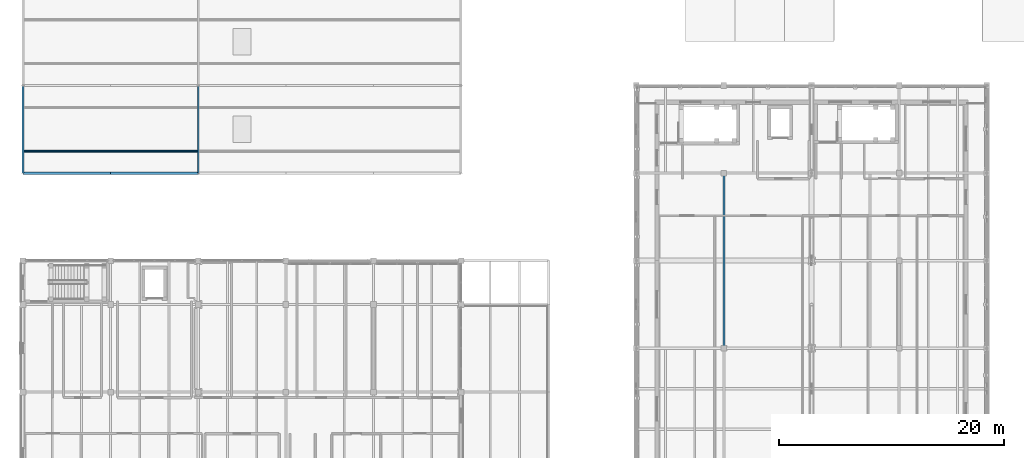
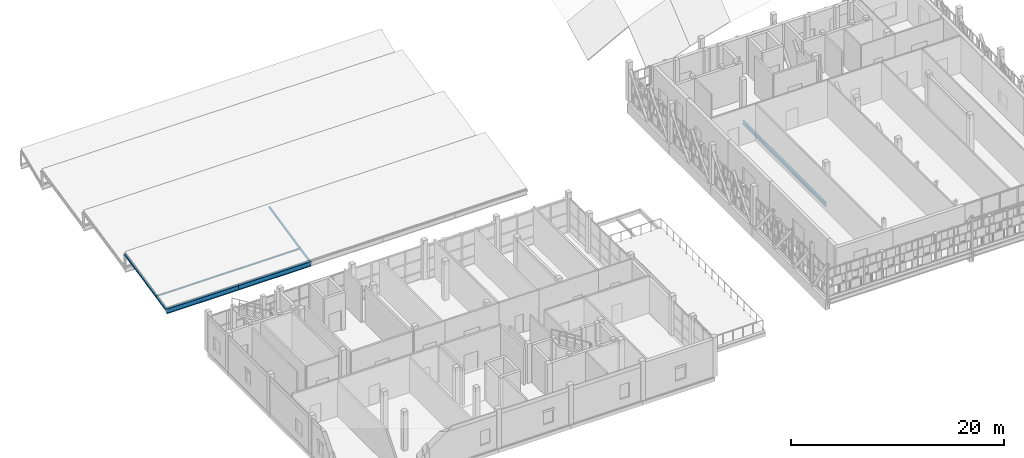
# One storey, part 15 of 89: 3 beams, 3 members.
"""IFC4 building model written with IfcOpenShell, lengths in metres."""

from ifc_helpers import new_model, si_unit, direction, frame, origin, origin_2d, place, context, subcontext, project, spatial, hollow_rectangle, hollow_circle, i_section, extrude, material, material_profile, profile_set, type_object, element, save


model = new_model("IFC4")

# Units and contexts
model_context = context("Model", 3, precision=1e-05, world=origin(), true_north=direction((0.0, 1.0)))
body_context = subcontext(model_context, "Body", "Model", "MODEL_VIEW")
ifc_project = project(units=[si_unit("LENGTHUNIT", "METRE"), si_unit("AREAUNIT", "SQUARE_METRE"), si_unit("VOLUMEUNIT", "CUBIC_METRE"), si_unit("PLANEANGLEUNIT", "RADIAN"), si_unit("MASSUNIT", "GRAM", prefix="KILO")], contexts=[model_context])

# Site, building, storey
site_placement = place(None, origin())
site = spatial("IfcSite", under=ifc_project, at=site_placement, CompositionType="ELEMENT")
building_placement = place(site_placement, origin())
building = spatial("IfcBuilding", under=site, at=building_placement, Name="Celorna Specialist Clinic", CompositionType="ELEMENT")
storey_placement = place(building_placement, frame((0.0, 0.0, 14.10009765625)))
storey = spatial("IfcBuildingStorey", under=building, at=storey_placement, Name="L03", CompositionType="ELEMENT", Elevation=14.10009765625)

# Beams
ifc_material = material(Name="Steel S355", Category="steel")
ifc_material_profile_1 = material_profile(ifc_material, i_section(OverallWidth=0.2099609375, OverallDepth=0.550048828125, WebThickness=0.010986328125, FlangeThickness=0.01708984375, at=origin_2d()), Name="IPE 550")
ifc_profile_set_1 = profile_set([ifc_material_profile_1], Name="Steel S355")
beam_type_1 = type_object("IfcBeamType", Name="BM-07", PredefinedType="BEAM", material=ifc_profile_set_1)
for number, where, z_axis, x_axis, name in (
    (1, (0.0, 35.10009765625, -0.300048828125), (1.0, 0.0, 0.0), (0.0, 1.0, 0.0), "Sawtooth valley girder #1"),
    (2, (7.800048828125, 35.10009765625, -0.300048828125), (1.0, 0.0, 0.0), (0.0, 1.0, 0.0), "Sawtooth valley girder #1"),
):
    element("IfcBeam", number, at=place(storey_placement, frame(where, z_axis=z_axis, x_axis=x_axis)), inside=storey, type_object=beam_type_1, Name=name, PredefinedType="BEAM", context=body_context, shape_type="SweptSolid", body=[
        extrude(i_section(OverallWidth=0.2099609375, OverallDepth=0.550048828125, WebThickness=0.010986328125, FlangeThickness=0.01708984375, at=origin_2d()), origin(), (0.0, 0.0, 1.0), 7.800048828125),
    ])
ifc_material_profile_2 = material_profile(ifc_material, i_section(OverallWidth=0.18994140625, OverallDepth=0.449951171875, WebThickness=0.009521484375, FlangeThickness=0.0146484375, at=origin_2d()), Name="IPE 450")
ifc_profile_set_2 = profile_set([ifc_material_profile_2], Name="Steel S355")
beam_type_2 = type_object("IfcBeamType", Name="BM-09", PredefinedType="BEAM", material=ifc_profile_set_2)
beam_placement = place(storey_placement, frame((62.39990234375, 19.5, -0.485107421875), z_axis=(0.0, 1.0, 0.0), x_axis=(-1.0, 0.0, 0.0)))
element("IfcBeam", 3, at=beam_placement, inside=storey, type_object=beam_type_2, Name="Transverse girder BM-09 #2175", PredefinedType="BEAM", context=body_context, shape_type="SweptSolid", body=[
    extrude(i_section(OverallWidth=0.18994140625, OverallDepth=0.449951171875, WebThickness=0.009521484375, FlangeThickness=0.0146484375, at=origin_2d()), origin(), (0.0, 0.0, 1.0), 15.60009765625),
])

# Members
ifc_material_profile_3 = material_profile(ifc_material, hollow_circle(Radius=0.096923828125, WallThickness=0.010009765625, at=origin_2d()), Name="CHS 193.7x10")
ifc_profile_set_3 = profile_set([ifc_material_profile_3], Name="Steel S355")
member_type_1 = type_object("IfcMemberType", Name="MB-04", PredefinedType="PURLIN", material=ifc_profile_set_3)
member_placement = place(storey_placement, frame((0.0, 37.050048828125, 0.225341796875), z_axis=(1.0, 0.0, 0.0), x_axis=(0.0, 1.0, 0.0)))
element("IfcMember", 4, at=member_placement, inside=storey, type_object=member_type_1, Name="Roof purlin WP-263-WP-264", PredefinedType="PURLIN", context=body_context, shape_type="SweptSolid", body=[
    extrude(hollow_circle(Radius=0.096923828125, WallThickness=0.010009765625, at=origin_2d()), origin(), (0.0, 0.0, 1.0), 15.60009765625),
])
ifc_material_profile_4 = material_profile(ifc_material, hollow_rectangle(XDim=0.159912109375, YDim=0.159912109375, WallThickness=0.010009765625, at=origin_2d()), Name="SHS 160x160x10")
ifc_profile_set_4 = profile_set([ifc_material_profile_4], Name="Steel S355")
member_type_2 = type_object("IfcMemberType", Name="MB-09", PredefinedType="CHORD", material=ifc_profile_set_4)
for number, where, z_axis, x_axis, name in (
    (5, (0.0, 35.10009765625, -0.2021484375), (0.0, 0.977833756685, 0.209382769797), (-1.0, 0.0, 0.0), "Pitched roof rafter chord WP-257-WP-258"),
    (6, (15.60009765625, 35.10009765625, -0.2021484375), (0.0, 0.977833756685, 0.209382769797), (-1.0, 0.0, 0.0), "Pitched roof rafter chord WP-259-WP-260"),
):
    element("IfcMember", number, at=place(storey_placement, frame(where, z_axis=z_axis, x_axis=x_axis)), inside=storey, type_object=member_type_2, Name=name, PredefinedType="CHORD", context=body_context, shape_type="SweptSolid", body=[
        extrude(hollow_rectangle(XDim=0.159912109375, YDim=0.159912109375, WallThickness=0.010009765625, at=origin_2d()), origin(), (0.0, 0.0, 1.0), 7.9765625),
    ])

save(model, "model.ifc")
